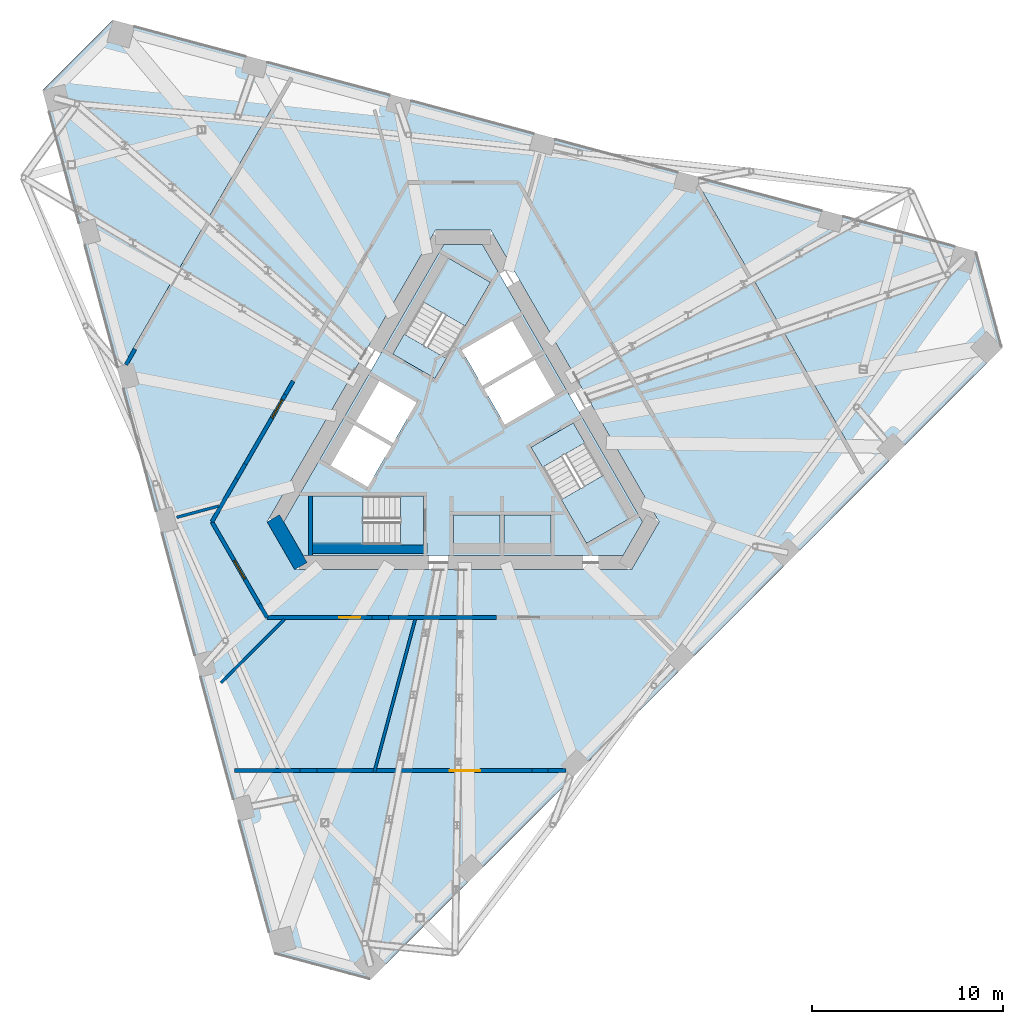
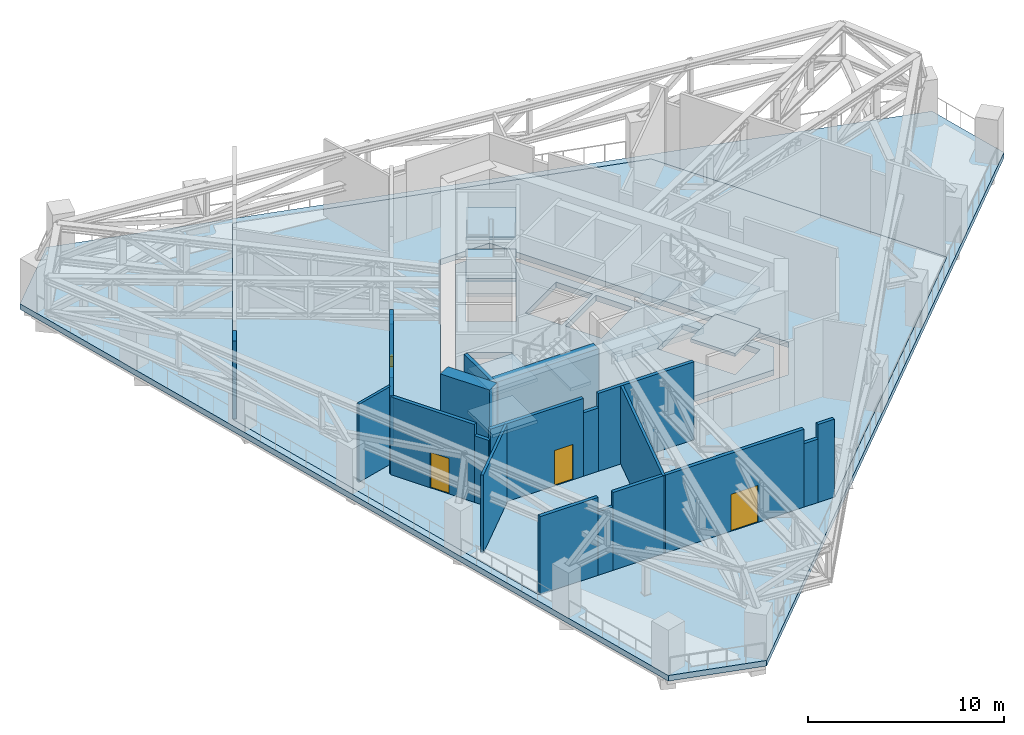
# One storey, part 13 of 22: 21 walls, 14 slabs, 4 doors, 4 openings, 3 elements without a shape of their own.
"""IFC4 building model written with IfcOpenShell, lengths in metres."""

from ifc_helpers import new_model, si_unit, direction, frame, frame_2d, origin, place, context, subcontext, project, spatial, polyline, rectangle, outline, extrude, material, layer, layer_set, type_object, element, fill, aggregate, save


model = new_model("IFC4")

# Units and contexts
model_context = context("Model", 3, precision=1e-05, world=origin(), true_north=direction((0.0, 1.0)))
body_context = subcontext(model_context, "Body", "Model", "MODEL_VIEW")
ifc_project = project(units=[si_unit("LENGTHUNIT", "METRE"), si_unit("AREAUNIT", "SQUARE_METRE"), si_unit("VOLUMEUNIT", "CUBIC_METRE"), si_unit("PLANEANGLEUNIT", "RADIAN"), si_unit("MASSUNIT", "GRAM", prefix="KILO")], contexts=[model_context])

# Site, building, storey
site_placement = place(None, origin())
site = spatial("IfcSite", under=ifc_project, at=site_placement, CompositionType="ELEMENT")
building_placement = place(site_placement, origin())
building = spatial("IfcBuilding", under=site, at=building_placement, Name="Tramontana Tower", CompositionType="ELEMENT")
storey_placement = place(building_placement, frame((0.0, 0.0, 232.0)))
storey = spatial("IfcBuildingStorey", under=building, at=storey_placement, Name="L54", CompositionType="ELEMENT", Elevation=232.0)

# Slabs
ifc_material_1 = material(Name="Concrete 70 MPa", Category="concrete")
ifc_layer_1 = layer(ifc_material_1, 0.35009765625)
ifc_layer_set_1 = layer_set([ifc_layer_1], Name="LIFT PIT FLOOR 350")
slab_type_1 = type_object("IfcSlabType", Name="LIFT PIT FLOOR 350", PredefinedType="USERDEFINED", material=ifc_layer_set_1)
slab_1_placement = place(storey_placement, frame((0.0, 0.0, 3.25)))
element("IfcSlab", 1, at=slab_1_placement, inside=storey, type_object=slab_type_1, Name="Lift pit floor S1", ObjectType="LIFT PIT FLOOR", PredefinedType="USERDEFINED", context=body_context, shape_type="SweptSolid", body=[
    extrude(outline(polyline([(-0.510009765625, -3.89990234375), (-0.510009765625, -5.449951171875), (1.93994140625, -5.449951171875), (1.93994140625, -3.89990234375), (-0.510009765625, -3.89990234375)])), origin(), (0.0, 0.0, 1.0), 0.35009765625),
])
slab_2_placement = place(storey_placement, frame((0.0, 0.0, 3.25)))
element("IfcSlab", 2, at=slab_2_placement, inside=storey, type_object=slab_type_1, Name="Lift pit floor S2", ObjectType="LIFT PIT FLOOR", PredefinedType="USERDEFINED", context=body_context, shape_type="SweptSolid", body=[
    extrude(outline(polyline([(2.139892578125, -3.89990234375), (2.139892578125, -5.449951171875), (4.590087890625, -5.449951171875), (4.590087890625, -3.89990234375), (2.139892578125, -3.89990234375)])), origin(), (0.0, 0.0, 1.0), 0.35009765625),
])
ifc_material_2 = material(Name="Concrete 40 MPa", Category="concrete")
ifc_layer_2 = layer(ifc_material_2, 0.35009765625)
ifc_layer_set_2 = layer_set([ifc_layer_2], Name="PT FLAT SLAB 350 40 MPa")
slab_type_2 = type_object("IfcSlabType", Name="PT FLAT SLAB 350 40 MPa", PredefinedType="FLOOR", material=ifc_layer_set_2)
slab_3_placement = place(storey_placement, frame((0.0, 0.0, -0.35009765625)))
element("IfcSlab", 3, at=slab_3_placement, inside=storey, type_object=slab_type_2, Name="Floor slab L54", PredefinedType="FLOOR", context=body_context, shape_type="SweptSolid", body=[
    extrude(outline(polyline([(-11.9423828125, -17.35009765625), (-11.9521484375, -17.349609375), (-11.9619140625, -17.34814453125), (-11.97119140625, -17.345703125), (-11.980712890625, -17.34228515625), (-11.989501953125, -17.338134765625), (-11.997802734375, -17.3330078125), (-12.005615234375, -17.327392578125), (-12.012939453125, -17.32080078125), (-12.01953125, -17.3134765625), (-12.025390625, -17.3056640625), (-12.030517578125, -17.297119140625), (-12.03466796875, -17.288330078125), (-12.0380859375, -17.279052734375), (-17.72412109375, 3.942138671875), (-17.726318359375, 3.95166015625), (-17.727294921875, 3.96142578125), (-17.7275390625, 3.97119140625), (-17.726806640625, 3.981201171875), (-17.72509765625, 3.99072265625), (-17.722412109375, 4.000244140625), (-17.71875, 4.00927734375), (-17.714111328125, 4.01806640625), (-17.310791015625, 4.717041015625), (-9.054443359375, 19.017333984375), (-9.049072265625, 19.025634765625), (-9.04296875, 19.033203125), (-9.0361328125, 19.040283203125), (-9.02880859375, 19.046630859375), (-9.0205078125, 19.05224609375), (-9.011962890625, 19.056884765625), (-9.0029296875, 19.060791015625), (-8.99365234375, 19.06396484375), (-8.984130859375, 19.06591796875), (-8.974365234375, 19.067138671875), (-8.964599609375, 19.0673828125), (-8.95458984375, 19.06640625), (-8.945068359375, 19.064697265625), (12.276123046875, 13.378662109375), (12.285400390625, 13.37548828125), (12.29443359375, 13.37158203125), (12.302978515625, 13.366943359375), (12.31103515625, 13.361328125), (12.318603515625, 13.35498046875), (12.325439453125, 13.347900390625), (12.33154296875, 13.340087890625), (12.3369140625, 13.33203125), (12.740478515625, 12.633056640625), (18.84619140625, 2.0576171875), (20.99658203125, -1.667236328125), (21.001220703125, -1.676025390625), (21.0048828125, -1.685302734375), (21.007568359375, -1.694580078125), (21.00927734375, -1.704345703125), (21.010009765625, -1.714111328125), (21.010009765625, -1.723876953125), (21.0087890625, -1.733642578125), (21.006591796875, -1.7431640625), (21.003662109375, -1.752685546875), (20.999755859375, -1.76171875), (20.9951171875, -1.77001953125), (20.989501953125, -1.7783203125), (20.983154296875, -1.78564453125), (5.447998046875, -17.32080078125), (5.44091796875, -17.327392578125), (5.43310546875, -17.3330078125), (5.424560546875, -17.338134765625), (5.415771484375, -17.34228515625), (5.406494140625, -17.345703125), (5.39697265625, -17.34814453125), (5.38720703125, -17.349609375), (5.37744140625, -17.35009765625), (3.605712890625, -17.35009765625), (-11.9423828125, -17.35009765625)]), holes=[polyline([(-8.8046875, -6.75), (8.8046875, -6.75), (10.248046875, -4.25), (1.443359375, 11.0), (-1.443359375, 11.0), (-10.248046875, -4.25), (-8.8046875, -6.75)])]), origin(), (0.0, 0.0, 1.0), 0.35009765625),
])
slab_4_placement = place(storey_placement, frame((0.0, 0.0, -0.35009765625)))
element("IfcSlab", 4, at=slab_4_placement, inside=storey, type_object=slab_type_2, Name="Terrace slab L54", PredefinedType="FLOOR", context=body_context, shape_type="SweptSolid", body=[
    extrude(outline(polyline([(-4.86669921875, -28.201416015625), (-9.885986328125, -26.8564453125), (-21.98974609375, 18.3154296875), (-18.3154296875, 21.98974609375), (26.8564453125, 9.885986328125), (28.201416015625, 4.86669921875), (-4.86669921875, -28.201416015625)]), holes=[polyline([(5.37744140625, -17.35009765625), (5.38720703125, -17.349609375), (5.39697265625, -17.34814453125), (5.406494140625, -17.345703125), (5.415771484375, -17.34228515625), (5.424560546875, -17.338134765625), (5.43310546875, -17.3330078125), (5.44091796875, -17.327392578125), (5.447998046875, -17.32080078125), (20.983154296875, -1.78564453125), (20.989501953125, -1.7783203125), (20.9951171875, -1.77001953125), (20.999755859375, -1.76171875), (21.003662109375, -1.752685546875), (21.006591796875, -1.7431640625), (21.0087890625, -1.733642578125), (21.010009765625, -1.723876953125), (21.010009765625, -1.714111328125), (21.00927734375, -1.704345703125), (21.007568359375, -1.694580078125), (21.0048828125, -1.685302734375), (21.001220703125, -1.676025390625), (20.99658203125, -1.667236328125), (18.84619140625, 2.0576171875), (12.740478515625, 12.633056640625), (12.3369140625, 13.33203125), (12.33154296875, 13.340087890625), (12.325439453125, 13.347900390625), (12.318603515625, 13.35498046875), (12.31103515625, 13.361328125), (12.302978515625, 13.366943359375), (12.29443359375, 13.37158203125), (12.285400390625, 13.37548828125), (12.276123046875, 13.378662109375), (-8.945068359375, 19.064697265625), (-8.95458984375, 19.06640625), (-8.964599609375, 19.0673828125), (-8.974365234375, 19.067138671875), (-8.984130859375, 19.06591796875), (-8.99365234375, 19.06396484375), (-9.0029296875, 19.060791015625), (-9.011962890625, 19.056884765625), (-9.0205078125, 19.05224609375), (-9.02880859375, 19.046630859375), (-9.0361328125, 19.040283203125), (-9.04296875, 19.033203125), (-9.049072265625, 19.025634765625), (-9.054443359375, 19.017333984375), (-17.310791015625, 4.717041015625), (-17.714111328125, 4.01806640625), (-17.71875, 4.00927734375), (-17.722412109375, 4.000244140625), (-17.72509765625, 3.99072265625), (-17.726806640625, 3.981201171875), (-17.7275390625, 3.97119140625), (-17.727294921875, 3.96142578125), (-17.726318359375, 3.95166015625), (-17.72412109375, 3.942138671875), (-12.0380859375, -17.279052734375), (-12.03466796875, -17.288330078125), (-12.030517578125, -17.297119140625), (-12.025390625, -17.3056640625), (-12.01953125, -17.3134765625), (-12.012939453125, -17.32080078125), (-12.005615234375, -17.327392578125), (-11.997802734375, -17.3330078125), (-11.989501953125, -17.338134765625), (-11.980712890625, -17.34228515625), (-11.97119140625, -17.345703125), (-11.9619140625, -17.34814453125), (-11.9521484375, -17.349609375), (-11.9423828125, -17.35009765625), (3.605712890625, -17.35009765625), (5.37744140625, -17.35009765625)])]), origin(), (0.0, 0.0, 1.0), 0.35009765625),
])
slab_5_placement = place(storey_placement, frame((0.0, 0.0, -0.35009765625)))
element("IfcSlab", 5, at=slab_5_placement, inside=storey, type_object=slab_type_2, Name="Core floor slab L54", PredefinedType="FLOOR", context=body_context, shape_type="SweptSolid", body=[
    extrude(outline(polyline([(9.3818359375, -4.25), (8.37158203125, -6.0), (-8.37158203125, -6.0), (-9.3818359375, -4.25), (-1.010498046875, 10.25), (1.010498046875, 10.25), (9.3818359375, -4.25)]), holes=[polyline([(8.659912109375, -4.099365234375), (6.35986328125, -0.115478515625), (4.151611328125, -1.390625), (6.451416015625, -5.374267578125), (8.659912109375, -4.099365234375)]), polyline([(3.829833984375, 4.2666015625), (1.101806640625, 2.69140625), (2.177001953125, 0.82958984375), (4.90478515625, 2.404541015625), (3.829833984375, 4.2666015625)]), polyline([(2.65478515625, 6.3017578125), (-0.072998046875, 4.726806640625), (1.001953125, 2.86474609375), (3.729736328125, 4.439697265625), (2.65478515625, 6.3017578125)]), polyline([(-0.77978515625, 9.54931640625), (-3.079833984375, 5.565673828125), (-0.87158203125, 4.29052734375), (1.428466796875, 8.2744140625), (-0.77978515625, 9.54931640625)]), polyline([(-5.689697265625, 1.044921875), (-3.65478515625, -0.130126953125), (-2.4296875, 1.99169921875), (-4.46484375, 3.166748046875), (-5.689697265625, 1.044921875)]), polyline([(-3.280029296875, -5.449951171875), (-3.280029296875, -2.89990234375), (-7.8798828125, -2.89990234375), (-7.8798828125, -5.449951171875), (-3.280029296875, -5.449951171875)]), polyline([(-7.014892578125, -1.25), (-4.979736328125, -2.425048828125), (-3.754638671875, -0.30322265625), (-5.789794921875, 0.87158203125), (-7.014892578125, -1.25)])]), origin(), (0.0, 0.0, 1.0), 0.35009765625),
])

# Stair, slabs
ifc_material_3 = material(Name="Concrete 40 MPa", Category="concrete")
stair_type = type_object("IfcStairType", Name="EXIT STAIR 32 RISERS", PredefinedType="HALF_TURN_STAIR", material=ifc_material_3)
stair_1_placement = place(storey_placement, origin())
stair_1 = element("IfcStair", 6, at=stair_1_placement, inside=storey, type_object=stair_type, Name="L54 Exit stair ST1", PredefinedType="HALF_TURN_STAIR")
ifc_material_4 = material(Name="Concrete 40 MPa", Category="concrete")
ifc_layer_3 = layer(ifc_material_4, 0.199951171875)
ifc_layer_set_3 = layer_set([ifc_layer_3], Name="STAIR LANDING 200")
slab_type_3 = type_object("IfcSlabType", Name="STAIR LANDING 200", PredefinedType="LANDING", material=ifc_layer_set_3)
slab_6_placement = place(storey_placement, frame((0.0, 0.0, 1.10009765625)))
slab_6 = element("IfcSlab", 7, at=slab_6_placement, type_object=slab_type_3, Name="ST1 landing 1", PredefinedType="LANDING", context=body_context, shape_type="SweptSolid", body=[
    extrude(outline(polyline([(0.108642578125, 5.988037109375), (1.428466796875, 8.274169921875), (-0.77978515625, 9.54931640625), (-2.099853515625, 7.262939453125), (0.108642578125, 5.988037109375)])), origin(), (0.0, 0.0, 1.0), 0.199951171875),
])
slab_7_placement = place(storey_placement, frame((0.0, 0.0, 2.39990234375)))
slab_7 = element("IfcSlab", 8, at=slab_7_placement, type_object=slab_type_3, Name="ST1 landing 2", PredefinedType="LANDING", context=body_context, shape_type="SweptSolid", body=[
    extrude(outline(polyline([(-1.471435546875, 3.251220703125), (-0.87158203125, 4.29052734375), (-3.079833984375, 5.565673828125), (-3.679931640625, 4.5263671875), (-1.471435546875, 3.251220703125)])), origin(), (0.0, 0.0, 1.0), 0.2001953125),
])
slab_8_placement = place(storey_placement, frame((0.0, 0.0, 3.699951171875)))
slab_8 = element("IfcSlab", 9, at=slab_8_placement, type_object=slab_type_3, Name="ST1 landing 3", PredefinedType="LANDING", context=body_context, shape_type="SweptSolid", body=[
    extrude(outline(polyline([(0.108642578125, 5.988037109375), (1.428466796875, 8.274169921875), (-0.77978515625, 9.54931640625), (-2.099853515625, 7.262939453125), (0.108642578125, 5.988037109375)])), origin(), (0.0, 0.0, 1.0), 0.199951171875),
])
aggregate(stair_1, [slab_6, slab_7, slab_8])

stair_2_placement = place(storey_placement, origin())
stair_2 = element("IfcStair", 10, at=stair_2_placement, inside=storey, type_object=stair_type, Name="L54 Exit stair ST2", PredefinedType="HALF_TURN_STAIR")
slab_9_placement = place(storey_placement, frame((0.0, 0.0, 1.10009765625)))
slab_9 = element("IfcSlab", 11, at=slab_9_placement, type_object=slab_type_3, Name="ST2 landing 1", PredefinedType="LANDING", context=body_context, shape_type="SweptSolid", body=[
    extrude(outline(polyline([(-5.239990234375, -2.89990234375), (-7.8798828125, -2.89990234375), (-7.8798828125, -5.449951171875), (-5.239990234375, -5.449951171875), (-5.239990234375, -2.89990234375)])), origin(), (0.0, 0.0, 1.0), 0.199951171875),
])
slab_10_placement = place(storey_placement, frame((0.0, 0.0, 2.39990234375)))
slab_10 = element("IfcSlab", 12, at=slab_10_placement, type_object=slab_type_3, Name="ST2 landing 2", PredefinedType="LANDING", context=body_context, shape_type="SweptSolid", body=[
    extrude(outline(polyline([(-2.080078125, -2.89990234375), (-3.280029296875, -2.89990234375), (-3.280029296875, -5.449951171875), (-2.080078125, -5.449951171875), (-2.080078125, -2.89990234375)])), origin(), (0.0, 0.0, 1.0), 0.2001953125),
])
slab_11_placement = place(storey_placement, frame((0.0, 0.0, 3.699951171875)))
slab_11 = element("IfcSlab", 13, at=slab_11_placement, type_object=slab_type_3, Name="ST2 landing 3", PredefinedType="LANDING", context=body_context, shape_type="SweptSolid", body=[
    extrude(outline(polyline([(-5.239990234375, -2.89990234375), (-7.8798828125, -2.89990234375), (-7.8798828125, -5.449951171875), (-5.239990234375, -5.449951171875), (-5.239990234375, -2.89990234375)])), origin(), (0.0, 0.0, 1.0), 0.199951171875),
])
aggregate(stair_2, [slab_9, slab_10, slab_11])

stair_3_placement = place(storey_placement, origin())
stair_3 = element("IfcStair", 14, at=stair_3_placement, inside=storey, type_object=stair_type, Name="L54 Exit stair ST3", PredefinedType="HALF_TURN_STAIR")
slab_12_placement = place(storey_placement, frame((0.0, 0.0, 1.10009765625)))
slab_12 = element("IfcSlab", 15, at=slab_12_placement, type_object=slab_type_3, Name="ST3 landing 1", PredefinedType="LANDING", context=body_context, shape_type="SweptSolid", body=[
    extrude(outline(polyline([(5.131591796875, -3.087890625), (6.451416015625, -5.374267578125), (8.659912109375, -4.099365234375), (7.33984375, -1.81298828125), (5.131591796875, -3.087890625)])), origin(), (0.0, 0.0, 1.0), 0.199951171875),
])
slab_13_placement = place(storey_placement, frame((0.0, 0.0, 2.39990234375)))
slab_13 = element("IfcSlab", 16, at=slab_13_placement, type_object=slab_type_3, Name="ST3 landing 2", PredefinedType="LANDING", context=body_context, shape_type="SweptSolid", body=[
    extrude(outline(polyline([(3.551513671875, -0.351318359375), (4.1513671875, -1.390625), (6.35986328125, -0.115478515625), (5.759765625, 0.923583984375), (3.551513671875, -0.351318359375)])), origin(), (0.0, 0.0, 1.0), 0.2001953125),
])
slab_14_placement = place(storey_placement, frame((0.0, 0.0, 3.699951171875)))
slab_14 = element("IfcSlab", 17, at=slab_14_placement, type_object=slab_type_3, Name="ST3 landing 3", PredefinedType="LANDING", context=body_context, shape_type="SweptSolid", body=[
    extrude(outline(polyline([(5.131591796875, -3.087890625), (6.451416015625, -5.374267578125), (8.659912109375, -4.099365234375), (7.33984375, -1.81298828125), (5.131591796875, -3.087890625)])), origin(), (0.0, 0.0, 1.0), 0.199951171875),
])
aggregate(stair_3, [slab_12, slab_13, slab_14])

# Walls
ifc_material_5 = material(Name="Concrete 70 MPa", Category="concrete")
ifc_layer_4 = layer(ifc_material_5, 0.75)
ifc_layer_set_4 = layer_set([ifc_layer_4], Name="Core wall 750 70 MPa")
wall_type_1 = type_object("IfcWallType", Name="Core wall 750 70 MPa", PredefinedType="SHEAR", material=ifc_layer_set_4)
wall_1_placement = place(storey_placement, frame((-9.923095703125, -4.0625, 0.0), z_axis=(0.0, 0.0, 1.0), x_axis=(0.499995765644, -0.866027848477, 0.0)))
element("IfcWall", 18, at=wall_1_placement, inside=storey, type_object=wall_type_1, Name="Core wall C2 L54", PredefinedType="SHEAR", context=body_context, shape_type="SweptSolid", body=[
    extrude(rectangle(XDim=2.88671875, YDim=0.75, at=frame_2d((1.443359375, 0.0))), origin(), (0.0, 0.0, 1.0), 5.199951171875),
])
ifc_material_6 = material(Name="Blockwork", Category="masonry")
ifc_layer_5 = layer(ifc_material_6, 0.199951171875)
ifc_layer_set_5 = layer_set([ifc_layer_5], Name="ENCLOSURE WALL 200")
wall_type_2 = type_object("IfcWallType", Name="ENCLOSURE WALL 200", PredefinedType="SOLIDWALL", material=ifc_layer_set_5)
wall_2_placement = place(storey_placement, frame((5.37744140625, -17.25, 0.0), z_axis=(0.0, 0.0, 1.0), x_axis=(-1.0, 0.0, 0.0)))
element("IfcWall", 19, at=wall_2_placement, inside=storey, type_object=wall_type_2, Name="Wall enc1-0", PredefinedType="SOLIDWALL", context=body_context, shape_type="SweptSolid", body=[
    extrude(rectangle(XDim=0.950439453125, YDim=0.199951171875, at=frame_2d((0.47509765625, 0.0))), origin(), (0.0, 0.0, 1.0), 4.85009765625),
])
wall_3_placement = place(storey_placement, frame((4.427001953125, -17.25, 0.0), z_axis=(0.0, 0.0, 1.0), x_axis=(-1.0, 0.0, 0.0)))
element("IfcWall", 20, at=wall_3_placement, inside=storey, type_object=wall_type_2, Name="Wall enc1-1", PredefinedType="SOLIDWALL", context=body_context, shape_type="SweptSolid", body=[
    extrude(rectangle(XDim=0.8212890625, YDim=0.199951171875, at=frame_2d((0.41064453125, 0.0))), origin(), (0.0, 0.0, 1.0), 3.949951171875),
])

# Wall, opening, door
wall_4_placement = place(storey_placement, frame((3.605712890625, -17.25, 0.0), z_axis=(0.0, 0.0, 1.0), x_axis=(-1.0, 0.0, 0.0)))
wall_4 = element("IfcWall", 21, at=wall_4_placement, inside=storey, type_object=wall_type_2, Name="Wall enc1-2", PredefinedType="SOLIDWALL", context=body_context, shape_type="SweptSolid", body=[
    extrude(rectangle(XDim=11.246826171875, YDim=0.199951171875, at=frame_2d((5.62353515625, 0.0))), origin(), (0.0, 0.0, 1.0), 4.85009765625),
])
opening_1_placement = place(wall_4_placement, frame((2.715087890625, 0.0, 0.0)))
opening_1 = element("IfcOpeningElement", 22, at=opening_1_placement, cuts=wall_4, Name="Opening L54-11", PredefinedType="OPENING", context=body_context, shape_type="SweptSolid", body=[
    extrude(rectangle(XDim=1.60009765625, YDim=2.300048828125, at=frame_2d((0.800048828125, 1.14990234375))), frame((0.0, 0.10986328125, 0.0), z_axis=(0.0, -1.0, 0.0), x_axis=(1.0, 0.0, 0.0)), (0.0, 0.0, 1.0), 0.219970703125),
])
ifc_material_7 = material(Name="Painted timber", Category="wood")
door_type_1 = type_object("IfcDoorType", Name="DOOR WIDE 1600", OperationType="SINGLE_SWING_LEFT", PredefinedType="DOOR", material=ifc_material_7)
door_1_placement = place(opening_1_placement, origin())
door_1 = element("IfcDoor", 23, at=door_1_placement, inside=storey, type_object=door_type_1, Name="Door L54-11", OperationType="DOUBLE_DOOR_SINGLE_SWING", OverallHeight=2.300048828125, OverallWidth=1.60009765625, PredefinedType="DOOR", context=body_context, shape_type="SweptSolid", body=[
    extrude(rectangle(XDim=1.60009765625, YDim=2.300048828125, at=frame_2d((0.800048828125, 1.14990234375))), frame((0.0, 0.02490234375, 0.0), z_axis=(0.0, -1.0, 0.0), x_axis=(1.0, 0.0, 0.0)), (0.0, 0.0, 1.0), 0.050048828125),
])
fill(opening_1, door_1)

# Walls
wall_5_placement = place(storey_placement, frame((-7.64111328125, -17.25, 0.0), z_axis=(0.0, 0.0, 1.0), x_axis=(-1.0, 0.0, 0.0)))
element("IfcWall", 24, at=wall_5_placement, inside=storey, type_object=wall_type_2, Name="Wall enc1-3", PredefinedType="SOLIDWALL", context=body_context, shape_type="SweptSolid", body=[
    extrude(rectangle(XDim=0.883544921875, YDim=0.199951171875, at=frame_2d((0.44189453125, 0.0))), origin(), (0.0, 0.0, 1.0), 3.949951171875),
])
wall_6_placement = place(storey_placement, frame((-8.524658203125, -17.25, 0.0), z_axis=(0.0, 0.0, 1.0), x_axis=(-1.0, 0.0, 0.0)))
element("IfcWall", 25, at=wall_6_placement, inside=storey, type_object=wall_type_2, Name="Wall enc1-4", PredefinedType="SOLIDWALL", context=body_context, shape_type="SweptSolid", body=[
    extrude(rectangle(XDim=3.417724609375, YDim=0.199951171875, at=frame_2d((1.708984375, 0.0))), origin(), (0.0, 0.0, 1.0), 4.85009765625),
])
wall_7_placement = place(storey_placement, frame((-17.627685546875, 3.968017578125, 0.0), z_axis=(0.0, 0.0, 1.0), x_axis=(0.500144919923, 0.865941718059, 0.0)))
element("IfcWall", 26, at=wall_7_placement, inside=storey, type_object=wall_type_2, Name="Wall enc2-0", PredefinedType="SOLIDWALL", context=body_context, shape_type="SweptSolid", body=[
    extrude(rectangle(XDim=0.950439453125, YDim=0.199951171875, at=frame_2d((0.47509765625, 0.0))), origin(), (0.0, 0.0, 1.0), 4.85009765625),
])
ifc_material_8 = material(Name="Blockwork", Category="masonry")
ifc_layer_6 = layer(ifc_material_8, 0.199951171875)
ifc_layer_set_6 = layer_set([ifc_layer_6], Name="ENTRY WALL 200")
wall_type_3 = type_object("IfcWallType", Name="ENTRY WALL 200", PredefinedType="SOLIDWALL", material=ifc_layer_set_6)
wall_8_placement = place(storey_placement, frame((1.742919921875, -9.25, 0.0), z_axis=(0.0, 0.0, 1.0), x_axis=(-1.0, 0.0, 0.0)))
element("IfcWall", 27, at=wall_8_placement, inside=storey, type_object=wall_type_3, Name="Wall ew2-4", PredefinedType="SOLIDWALL", context=body_context, shape_type="SweptSolid", body=[
    extrude(rectangle(XDim=5.635498046875, YDim=0.199951171875, at=frame_2d((2.81787109375, 0.0))), origin(), (0.0, 0.0, 1.0), 4.85009765625),
])
wall_9_placement = place(storey_placement, frame((-3.892578125, -9.25, 0.0), z_axis=(0.0, 0.0, 1.0), x_axis=(-1.0, 0.0, 0.0)))
element("IfcWall", 28, at=wall_9_placement, inside=storey, type_object=wall_type_3, Name="Wall ew2-5", PredefinedType="SOLIDWALL", context=body_context, shape_type="SweptSolid", body=[
    extrude(rectangle(XDim=0.883544921875, YDim=0.199951171875, at=frame_2d((0.44189453125, 0.0))), origin(), (0.0, 0.0, 1.0), 3.949951171875),
])

# Wall, opening, door
wall_10_placement = place(storey_placement, frame((-4.776123046875, -9.25, 0.0), z_axis=(0.0, 0.0, 1.0), x_axis=(-1.0, 0.0, 0.0)))
wall_10 = element("IfcWall", 29, at=wall_10_placement, inside=storey, type_object=wall_type_3, Name="Wall ew2-6", PredefinedType="SOLIDWALL", context=body_context, shape_type="SweptSolid", body=[
    extrude(rectangle(XDim=5.471923828125, YDim=0.199951171875, at=frame_2d((2.73583984375, 0.0))), origin(), (0.0, 0.0, 1.0), 4.85009765625),
])
opening_2_placement = place(wall_10_placement, frame((0.601806640625, 0.0, 0.0)))
opening_2 = element("IfcOpeningElement", 30, at=opening_2_placement, cuts=wall_10, Name="Opening L54-03", PredefinedType="OPENING", context=body_context, shape_type="SweptSolid", body=[
    extrude(rectangle(XDim=1.10009765625, YDim=2.199951171875, at=frame_2d((0.550048828125, 1.10009765625))), frame((0.0, 0.10986328125, 0.0), z_axis=(0.0, -1.0, 0.0), x_axis=(1.0, 0.0, 0.0)), (0.0, 0.0, 1.0), 0.219970703125),
])
ifc_material_9 = material(Name="Painted steel", Category="steel")
door_type_2 = type_object("IfcDoorType", Name="PLANT DOOR 1100", OperationType="SINGLE_SWING_LEFT", PredefinedType="DOOR", material=ifc_material_9)
door_2_placement = place(opening_2_placement, origin())
door_2 = element("IfcDoor", 31, at=door_2_placement, inside=storey, type_object=door_type_2, Name="Door L54-03", OperationType="SINGLE_SWING_LEFT", OverallHeight=2.199951171875, OverallWidth=1.10009765625, PredefinedType="DOOR", context=body_context, shape_type="SweptSolid", body=[
    extrude(rectangle(XDim=1.10009765625, YDim=2.199951171875, at=frame_2d((0.550048828125, 1.10009765625))), frame((0.0, 0.02490234375, 0.0), z_axis=(0.0, -1.0, 0.0), x_axis=(1.0, 0.0, 0.0)), (0.0, 0.0, 1.0), 0.050048828125),
])
fill(opening_2, door_2)

# Wall
wall_11_placement = place(storey_placement, frame((-10.248046875, -9.25, 0.0), z_axis=(0.0, 0.0, 1.0), x_axis=(-0.499966538646, 0.866044721844, 0.0)))
element("IfcWall", 32, at=wall_11_placement, inside=storey, type_object=wall_type_3, Name="Wall ew3-0", PredefinedType="SOLIDWALL", context=body_context, shape_type="SweptSolid", body=[
    extrude(rectangle(XDim=0.8369140625, YDim=0.199951171875, at=frame_2d((0.41845703125, 0.0))), origin(), (0.0, 0.0, 1.0), 4.14990234375),
])

# Wall, opening, door
wall_12_placement = place(storey_placement, frame((-10.66650390625, -8.525146484375, 0.0), z_axis=(0.0, 0.0, 1.0), x_axis=(-0.500000720929, 0.866024987556, 0.0)))
wall_12 = element("IfcWall", 33, at=wall_12_placement, inside=storey, type_object=wall_type_3, Name="Wall ew3-1", PredefinedType="SOLIDWALL", context=body_context, shape_type="SweptSolid", body=[
    extrude(rectangle(XDim=4.9365234375, YDim=0.199951171875, at=frame_2d((2.46826171875, 0.0))), origin(), (0.0, 0.0, 1.0), 4.85009765625),
])
opening_3_placement = place(wall_12_placement, frame((1.499755859375, 0.0, 0.0)))
opening_3 = element("IfcOpeningElement", 34, at=opening_3_placement, cuts=wall_12, Name="Opening L54-02", PredefinedType="OPENING", context=body_context, shape_type="SweptSolid", body=[
    extrude(rectangle(XDim=1.10009765625, YDim=2.199951171875, at=frame_2d((0.550048828125, 1.10009765625))), frame((0.0, 0.10986328125, 0.0), z_axis=(0.0, -1.0, 0.0), x_axis=(1.0, 0.0, 0.0)), (0.0, 0.0, 1.0), 0.219970703125),
])
door_3_placement = place(opening_3_placement, origin())
door_3 = element("IfcDoor", 35, at=door_3_placement, inside=storey, type_object=door_type_2, Name="Door L54-02", OperationType="SINGLE_SWING_RIGHT", OverallHeight=2.199951171875, OverallWidth=1.10009765625, PredefinedType="DOOR", context=body_context, shape_type="SweptSolid", body=[
    extrude(rectangle(XDim=1.10009765625, YDim=2.199951171875, at=frame_2d((0.550048828125, 1.10009765625))), frame((0.0, 0.02490234375, 0.0), z_axis=(0.0, -1.0, 0.0), x_axis=(1.0, 0.0, 0.0)), (0.0, 0.0, 1.0), 0.050048828125),
])
fill(opening_3, door_3)

# Walls
wall_13_placement = place(storey_placement, frame((-13.134765625, -4.25, 0.0), z_axis=(0.0, 0.0, 1.0), x_axis=(0.500001094379, 0.866024771944, 0.0)))
element("IfcWall", 36, at=wall_13_placement, inside=storey, type_object=wall_type_3, Name="Wall ew4-0", PredefinedType="SOLIDWALL", context=body_context, shape_type="SweptSolid", body=[
    extrude(rectangle(XDim=2.60400390625, YDim=0.199951171875, at=frame_2d((1.302001953125, 0.0))), origin(), (0.0, 0.0, 1.0), 4.85009765625),
])
wall_14_placement = place(storey_placement, frame((-11.832763671875, -1.994873046875, 0.0), z_axis=(0.0, 0.0, 1.0), x_axis=(0.500016243463, 0.866016025414, 0.0)))
element("IfcWall", 37, at=wall_14_placement, inside=storey, type_object=wall_type_3, Name="Wall ew4-1", PredefinedType="SOLIDWALL", context=body_context, shape_type="SweptSolid", body=[
    extrude(rectangle(XDim=0.88720703125, YDim=0.199951171875, at=frame_2d((0.443603515625, 0.0))), origin(), (0.0, 0.0, 1.0), 4.14990234375),
])

# Wall, opening, door
wall_15_placement = place(storey_placement, frame((-11.38916015625, -1.2265625, 0.0), z_axis=(0.0, 0.0, 1.0), x_axis=(0.499984573973, 0.866034309822, 0.0)))
wall_15 = element("IfcWall", 38, at=wall_15_placement, inside=storey, type_object=wall_type_3, Name="Wall ew4-2", PredefinedType="SOLIDWALL", context=body_context, shape_type="SweptSolid", body=[
    extrude(rectangle(XDim=4.192626953125, YDim=0.199951171875, at=frame_2d((2.09619140625, 0.0))), origin(), (0.0, 0.0, 1.0), 4.85009765625),
])
opening_4_placement = place(wall_15_placement, frame((2.7841796875, 0.0, 0.0)))
opening_4 = element("IfcOpeningElement", 39, at=opening_4_placement, cuts=wall_15, Name="Opening L54-01", PredefinedType="OPENING", context=body_context, shape_type="SweptSolid", body=[
    extrude(rectangle(XDim=1.10009765625, YDim=2.199951171875, at=frame_2d((0.550048828125, 1.10009765625))), frame((0.0, 0.10986328125, 0.0), z_axis=(0.0, -1.0, 0.0), x_axis=(1.0, 0.0, 0.0)), (0.0, 0.0, 1.0), 0.219970703125),
])
door_4_placement = place(opening_4_placement, origin())
door_4 = element("IfcDoor", 40, at=door_4_placement, inside=storey, type_object=door_type_2, Name="Door L54-01", OperationType="SINGLE_SWING_LEFT", OverallHeight=2.199951171875, OverallWidth=1.10009765625, PredefinedType="DOOR", context=body_context, shape_type="SweptSolid", body=[
    extrude(rectangle(XDim=1.10009765625, YDim=2.199951171875, at=frame_2d((0.550048828125, 1.10009765625))), frame((0.0, 0.02490234375, 0.0), z_axis=(0.0, -1.0, 0.0), x_axis=(1.0, 0.0, 0.0)), (0.0, 0.0, 1.0), 0.050048828125),
])
fill(opening_4, door_4)

# Walls
wall_16_placement = place(storey_placement, frame((-9.29296875, 2.404296875, 0.0), z_axis=(0.0, 0.0, 1.0), x_axis=(0.500039835994, 0.866002403241, 0.0)))
element("IfcWall", 41, at=wall_16_placement, inside=storey, type_object=wall_type_3, Name="Wall ew4-3", PredefinedType="SOLIDWALL", context=body_context, shape_type="SweptSolid", body=[
    extrude(rectangle(XDim=0.8212890625, YDim=0.199951171875, at=frame_2d((0.41064453125, 0.0))), origin(), (0.0, 0.0, 1.0), 3.949951171875),
])
ifc_material_10 = material(Name="Gypsum board partition")
ifc_layer_7 = layer(ifc_material_10, 0.14990234375)
ifc_layer_set_7 = layer_set([ifc_layer_7], Name="PARTITION 150")
wall_type_4 = type_object("IfcWallType", Name="PARTITION 150", PredefinedType="PARTITIONING", material=ifc_layer_set_7)
wall_17_placement = place(storey_placement, frame((-12.7724609375, -3.42236328125, 0.0), z_axis=(0.0, 0.0, 1.0), x_axis=(-0.965924600635, -0.258823619262, 0.0)))
element("IfcWall", 42, at=wall_17_placement, inside=storey, type_object=wall_type_4, Name="Wall fw-pw00", PredefinedType="PARTITIONING", context=body_context, shape_type="SweptSolid", body=[
    extrude(rectangle(XDim=2.277099609375, YDim=0.14990234375, at=frame_2d((1.138671875, 0.0))), origin(), (0.0, 0.0, 1.0), 4.85009765625),
])
wall_18_placement = place(storey_placement, frame((-9.35009765625, -9.35009765625, 0.0), z_axis=(0.0, 0.0, 1.0), x_axis=(-0.707106781187, -0.707106781187, 0.0)))
element("IfcWall", 43, at=wall_18_placement, inside=storey, type_object=wall_type_4, Name="Wall fw-pw02", PredefinedType="PARTITIONING", context=body_context, shape_type="SweptSolid", body=[
    extrude(rectangle(XDim=4.6748046875, YDim=0.14990234375, at=frame_2d((2.33740234375, 0.0))), origin(), (0.0, 0.0, 1.0), 4.85009765625),
])
wall_19_placement = place(storey_placement, frame((-2.50537109375, -9.35009765625, 0.0), z_axis=(0.0, 0.0, 1.0), x_axis=(-0.25881466832, -0.965926999034, 0.0)))
element("IfcWall", 44, at=wall_19_placement, inside=storey, type_object=wall_type_4, Name="Wall fw-pw04", PredefinedType="PARTITIONING", context=body_context, shape_type="SweptSolid", body=[
    extrude(rectangle(XDim=8.2822265625, YDim=0.14990234375, at=frame_2d((4.14111328125, 0.0))), origin(), (0.0, 0.0, 1.0), 4.85009765625),
])
ifc_material_11 = material(Name="Concrete 70 MPa", Category="concrete")
ifc_layer_8 = layer(ifc_material_11, 0.550048828125)
ifc_layer_set_8 = layer_set([ifc_layer_8], Name="Concrete 70 MPa, 550 mm")
wall_type_5 = type_object("IfcWallType", Name="RC SHAFT BACK WALL 550", PredefinedType="SOLIDWALL", material=ifc_layer_set_8)
wall_20_placement = place(storey_placement, frame((-8.080078125, -5.625, 0.0), z_axis=(0.0, 0.0, 1.0), x_axis=(1.0, 0.0, 0.0)))
element("IfcWall", 45, at=wall_20_placement, inside=storey, type_object=wall_type_5, Name="Wall st2-back", PredefinedType="SOLIDWALL", context=body_context, shape_type="SweptSolid", body=[
    extrude(rectangle(XDim=6.2001953125, YDim=0.550048828125, at=frame_2d((3.10009765625, 0.0))), origin(), (0.0, 0.0, 1.0), 4.85009765625),
])
ifc_material_12 = material(Name="Concrete 70 MPa", Category="concrete")
ifc_layer_9 = layer(ifc_material_12, 0.199951171875)
ifc_layer_set_9 = layer_set([ifc_layer_9], Name="Concrete 70 MPa, 200 mm")
wall_type_6 = type_object("IfcWallType", Name="RC STAIR AND SHAFT WALL 200", PredefinedType="SOLIDWALL", material=ifc_layer_set_9)
wall_21_placement = place(storey_placement, frame((-7.97998046875, -2.89990234375, 0.0), z_axis=(0.0, 0.0, 1.0), x_axis=(0.0, -1.0, 0.0)))
element("IfcWall", 46, at=wall_21_placement, inside=storey, type_object=wall_type_6, Name="Wall st2-far", PredefinedType="SOLIDWALL", context=body_context, shape_type="SweptSolid", body=[
    extrude(rectangle(XDim=3.10009765625, YDim=0.199951171875, at=frame_2d((1.550048828125, 0.0))), origin(), (0.0, 0.0, 1.0), 4.85009765625),
])

save(model, "model.ifc")
